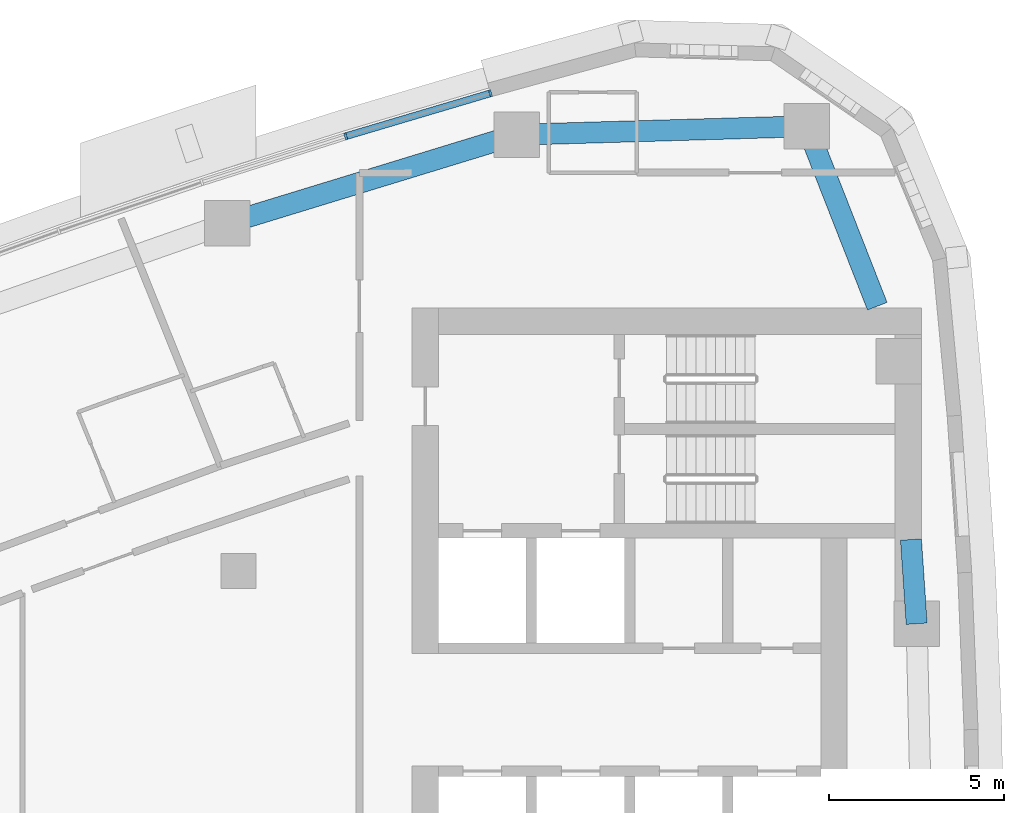
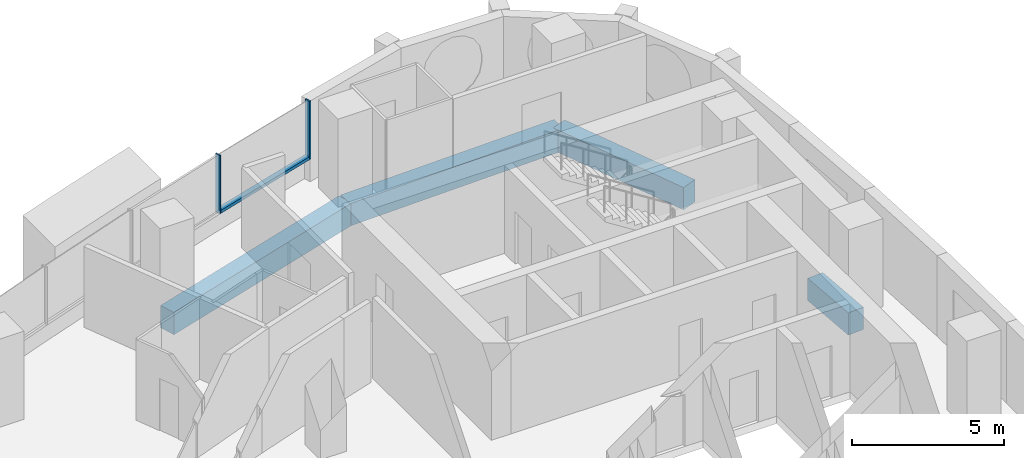
# One storey, part 7 of 17: 4 beams, 3 members, 1 element without a shape of its own.
"""IFC4 building model written with IfcOpenShell, lengths in metres."""

from ifc_helpers import new_model, si_unit, direction, frame, origin, origin_2d, place, context, subcontext, project, spatial, rectangle, extrude, material, layer, layer_set, material_profile, profile_set, type_object, element, aggregate, save


model = new_model("IFC4")

# Units and contexts
model_context = context("Model", 3, precision=1e-05, world=origin(), true_north=direction((0.0, 1.0)))
body_context = subcontext(model_context, "Body", "Model", "MODEL_VIEW")
ifc_project = project(units=[si_unit("LENGTHUNIT", "METRE"), si_unit("AREAUNIT", "SQUARE_METRE"), si_unit("VOLUMEUNIT", "CUBIC_METRE"), si_unit("PLANEANGLEUNIT", "RADIAN"), si_unit("MASSUNIT", "GRAM", prefix="KILO")], contexts=[model_context])

# Site, building, storey
site_placement = place(None, origin())
site = spatial("IfcSite", under=ifc_project, at=site_placement, CompositionType="ELEMENT")
building_placement = place(site_placement, origin())
building = spatial("IfcBuilding", under=site, at=building_placement, Name="Ostrand Prow Hotel Tower", CompositionType="ELEMENT")
storey_placement = place(building_placement, frame((0.0, 0.0, 182.60009765625)))
storey = spatial("IfcBuildingStorey", under=building, at=storey_placement, Name="L45", CompositionType="ELEMENT", Elevation=182.60009765625)

# Beams
ifc_material_1 = material(Name="Concrete C60/75", Category="concrete")
ifc_material_profile_1 = material_profile(ifc_material_1, rectangle(XDim=0.60009765625, YDim=0.89990234375, at=origin_2d()), Name="RC 600x900")
ifc_profile_set_1 = profile_set([ifc_material_profile_1], Name="Concrete C60/75")
beam_type = type_object("IfcBeamType", Name="Edge beam 600x900 C60/75", PredefinedType="SPANDREL", material=ifc_profile_set_1)
beam_1_placement = place(storey_placement, frame((64.330322265625, 7.499267578125, -0.75), z_axis=(-0.067778284608, 0.997700408006, 0.0), x_axis=(-0.997700408006, -0.067778284608, 0.0)))
element("IfcBeam", 1, at=beam_1_placement, inside=storey, type_object=beam_type, Name="Edge beam B4-B5", PredefinedType="SPANDREL", context=body_context, shape_type="SweptSolid", body=[
    extrude(rectangle(XDim=0.60009765625, YDim=0.89990234375, at=origin_2d()), origin(), (0.0, 0.0, 1.0), 2.40625),
])
beam_2_placement = place(storey_placement, frame((63.2080078125, 16.550048828125, -0.75), z_axis=(-0.364802049817, 0.931085100541, 0.0), x_axis=(-0.931085100541, -0.364802049817, 0.0)))
element("IfcBeam", 2, at=beam_2_placement, inside=storey, type_object=beam_type, Name="Edge beam B5-NE", PredefinedType="SPANDREL", context=body_context, shape_type="SweptSolid", body=[
    extrude(rectangle(XDim=0.60009765625, YDim=0.89990234375, at=origin_2d()), origin(), (0.0, 0.0, 1.0), 5.508544921875),
])
beam_3_placement = place(storey_placement, frame((61.198486328125, 21.678955078125, -0.75), z_axis=(-0.999575901438, -0.029120735993, 0.0), x_axis=(0.029120735993, -0.999575901438, 0.0)))
element("IfcBeam", 3, at=beam_3_placement, inside=storey, type_object=beam_type, Name="Edge beam NE-N1", PredefinedType="SPANDREL", context=body_context, shape_type="SweptSolid", body=[
    extrude(rectangle(XDim=0.60009765625, YDim=0.89990234375, at=origin_2d()), origin(), (0.0, 0.0, 1.0), 8.274658203125),
])
beam_4_placement = place(storey_placement, frame((52.92724609375, 21.43798828125, -0.75), z_axis=(-0.956245556413, -0.292565267659, 0.0), x_axis=(0.292565267659, -0.956245556413, 0.0)))
element("IfcBeam", 4, at=beam_4_placement, inside=storey, type_object=beam_type, Name="Edge beam N1-N2", PredefinedType="SPANDREL", context=body_context, shape_type="SweptSolid", body=[
    extrude(rectangle(XDim=0.60009765625, YDim=0.89990234375, at=origin_2d()), origin(), (0.0, 0.0, 1.0), 8.621826171875),
])

# Curtain wall, members
ifc_material_2 = material(Name="Insulated glass in bronze anodised frame", Category="glass")
ifc_layer = layer(ifc_material_2, 0.199951171875)
ifc_layer_set = layer_set([ifc_layer], Name="Insulated glass in bronze anodised frame")
curtain_wall_type = type_object("IfcCurtainWallType", Name="Strip curtain wall, fritted glass over bronze spandrel", PredefinedType="NOTDEFINED", material=ifc_layer_set)
curtain_wall_placement = place(storey_placement, origin())
curtain_wall = element("IfcCurtainWall", 5, at=curtain_wall_placement, inside=storey, type_object=curtain_wall_type, Name="CW1 run CWN1", PredefinedType="NOTDEFINED")
ifc_material_3 = material(Name="Bronze anodised aluminium", Category="aluminium")
ifc_material_profile_2 = material_profile(ifc_material_3, rectangle(XDim=0.199951171875, YDim=0.06005859375, at=origin_2d()), Name="Mullion 60x200 bronze anodised aluminium")
ifc_profile_set_2 = profile_set([ifc_material_profile_2], Name="Bronze anodised aluminium")
member_type_1 = type_object("IfcMemberType", Name="Mullion 60x200 bronze anodised aluminium", PredefinedType="MULLION", material=ifc_profile_set_2)
member_1_placement = place(storey_placement, frame((52.182373046875, 22.619384765625, 0.89990234375), z_axis=(0.0, 0.0, 1.0), x_axis=(0.284544113619, -0.958662947758, 0.0)))
member_1 = element("IfcMember", 6, at=member_1_placement, type_object=member_type_1, Name="CW1 mullion 1", PredefinedType="MULLION", context=body_context, shape_type="SweptSolid", body=[
    extrude(rectangle(XDim=0.199951171875, YDim=0.06005859375, at=origin_2d()), origin(), (0.0, 0.0, 1.0), 2.35009765625),
])
member_2_placement = place(storey_placement, frame((48.055419921875, 21.39453125, 0.89990234375), z_axis=(0.0, 0.0, 1.0), x_axis=(0.303786970008, -0.952739983864, 0.0)))
member_2 = element("IfcMember", 7, at=member_2_placement, type_object=member_type_1, Name="CW1 mullion 2", PredefinedType="MULLION", context=body_context, shape_type="SweptSolid", body=[
    extrude(rectangle(XDim=0.199951171875, YDim=0.06005859375, at=origin_2d()), origin(), (0.0, 0.0, 1.0), 2.35009765625),
])
ifc_material_4 = material(Name="Bronze anodised aluminium", Category="aluminium")
ifc_material_profile_3 = material_profile(ifc_material_4, rectangle(XDim=0.199951171875, YDim=0.1201171875, at=origin_2d()), Name="Transom 120x200 bronze anodised aluminium")
ifc_profile_set_3 = profile_set([ifc_material_profile_3], Name="Bronze anodised aluminium")
member_type_2 = type_object("IfcMemberType", Name="Transom 120x200 bronze anodised aluminium", PredefinedType="USERDEFINED", material=ifc_profile_set_3)
member_3_placement = place(storey_placement, frame((52.15380859375, 22.611083984375, 0.9599609375), z_axis=(-0.958661084062, -0.284550392558, 0.0), x_axis=(0.284550392558, -0.958661084062, 0.0)))
member_3 = element("IfcMember", 8, at=member_3_placement, type_object=member_type_2, Name="CW1 transom 1.1", ObjectType="TRANSOM", PredefinedType="USERDEFINED", context=body_context, shape_type="SweptSolid", body=[
    extrude(rectangle(XDim=0.199951171875, YDim=0.1201171875, at=origin_2d()), origin(), (0.0, 0.0, 1.0), 4.245361328125),
])
aggregate(curtain_wall, [member_1, member_2, member_3])

save(model, "model.ifc")
